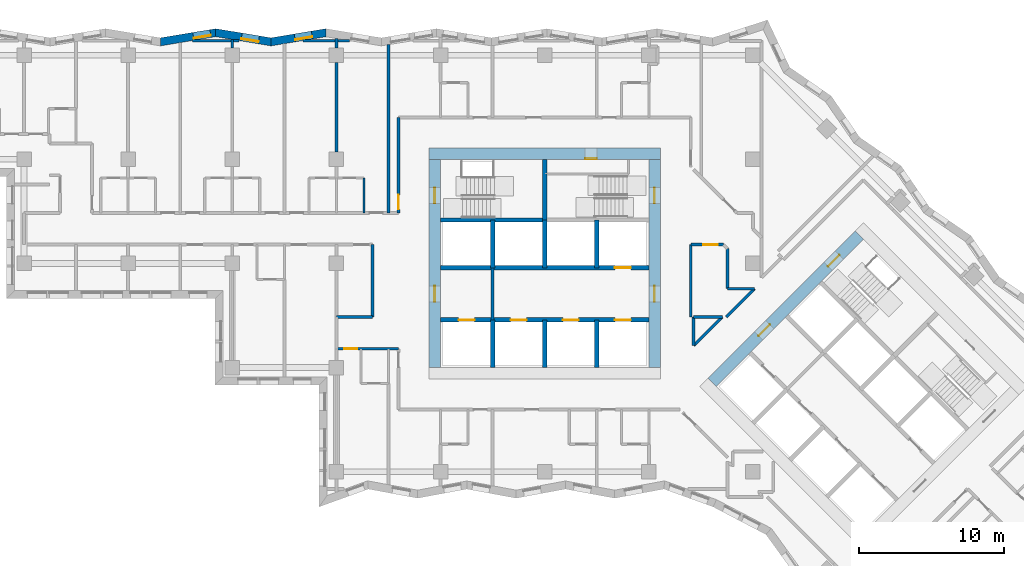
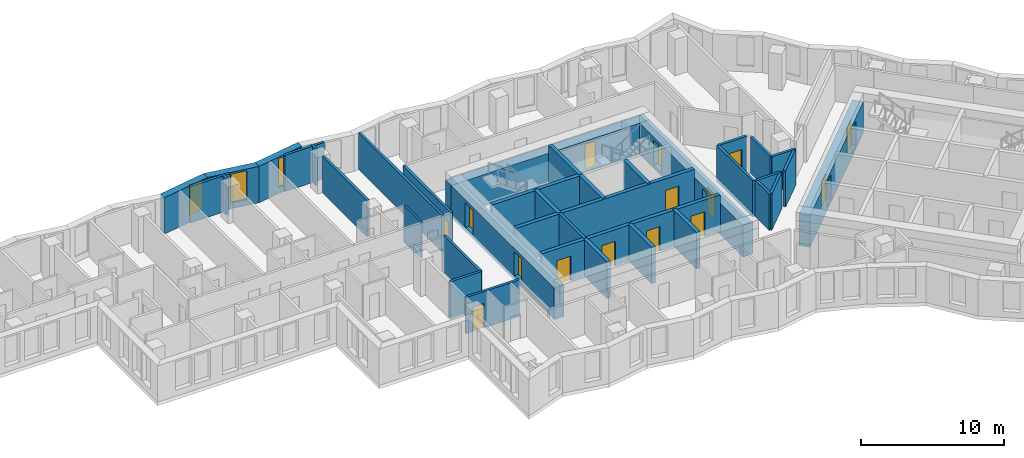
# One storey, part 6 of 14: 37 walls, 15 doors, 3 windows, 18 openings.
"""IFC4 building model written with IfcOpenShell, lengths in metres."""

from ifc_helpers import new_model, si_unit, direction, frame, frame_2d, origin, place, context, subcontext, project, spatial, polyline, rectangle, outline, extrude, material, layer, layer_set, type_object, element, fill, save


model = new_model("IFC4")

# Units and contexts
model_context = context("Model", 3, precision=1e-05, world=origin(), true_north=direction((0.0, 1.0)))
body_context = subcontext(model_context, "Body", "Model", "MODEL_VIEW")
ifc_project = project(units=[si_unit("LENGTHUNIT", "METRE"), si_unit("AREAUNIT", "SQUARE_METRE"), si_unit("VOLUMEUNIT", "CUBIC_METRE"), si_unit("PLANEANGLEUNIT", "RADIAN"), si_unit("MASSUNIT", "GRAM", prefix="KILO")], contexts=[model_context])

# Site, building, storey
site_placement = place(None, origin())
site = spatial("IfcSite", under=ifc_project, at=site_placement, CompositionType="ELEMENT")
building_placement = place(site_placement, origin())
building = spatial("IfcBuilding", under=site, at=building_placement, Name="Windrow Commons", CompositionType="ELEMENT")
storey_placement = place(building_placement, frame((0.0, 0.0, 118.6)))
storey = spatial("IfcBuildingStorey", under=building, at=storey_placement, Name="L32", CompositionType="ELEMENT", Elevation=118.6)

# Wall, opening, window
ifc_material_1 = material(Name="Brick masonry, red clay brick", Category="masonry")
ifc_layer_1 = layer(ifc_material_1, 0.55)
ifc_layer_set_1 = layer_set([ifc_layer_1], Name="Brick facade wall 550")
wall_type_1 = type_object("IfcWallType", Name="Brick facade wall 550", PredefinedType="SOLIDWALL", material=ifc_layer_set_1)
wall_1_placement = place(storey_placement, frame((49.6853, 73.5542, 0.0), z_axis=(0.0, 0.0, 1.0), x_axis=(-0.9865110911, -0.1636944324, 0.0)))
wall_1 = element("IfcWall", 1, at=wall_1_placement, inside=storey, type_object=wall_type_1, Name="Brick facade wall L32 29", PredefinedType="SOLIDWALL", context=body_context, shape_type="SweptSolid", body=[
    extrude(outline(polyline([(-0.0456, -0.275), (3.8213, -0.275), (3.9126, 0.275), (0.0456, 0.275), (-0.0456, -0.275)])), origin(), (0.0, 0.0, 1.0), 3.1),
])
opening_1_placement = place(wall_1_placement, frame((0.9852, 0.0, 0.5)))
opening_1 = element("IfcOpeningElement", 2, at=opening_1_placement, cuts=wall_1, Name="Opening W7D", PredefinedType="OPENING", context=body_context, shape_type="SweptSolid", body=[
    extrude(rectangle(XDim=1.2, YDim=2.45, at=frame_2d((0.6, 1.225))), frame((0.0, 0.285, 0.0), z_axis=(0.0, -1.0, 0.0), x_axis=(1.0, 0.0, 0.0)), (0.0, 0.0, 1.0), 0.57),
])
ifc_material_2 = material(Name="Clear float glass in anodised aluminium frame", Category="aluminium")
window_type = type_object("IfcWindowType", Name="Window W7 notch 1200x2450", PartitioningType="SINGLE_PANEL", PredefinedType="WINDOW", material=ifc_material_2)
window_1_placement = place(opening_1_placement, origin())
window_1 = element("IfcWindow", 3, at=window_1_placement, inside=storey, type_object=window_type, Name="Window L32 29.1", OverallHeight=2.45, OverallWidth=1.2, PartitioningType="SINGLE_PANEL", PredefinedType="WINDOW", context=body_context, shape_type="SweptSolid", body=[
    extrude(rectangle(XDim=1.2, YDim=2.45, at=frame_2d((0.6, 1.225))), frame((0.0, 0.155, 0.0), z_axis=(0.0, -1.0, 0.0), x_axis=(1.0, 0.0, 0.0)), (0.0, 0.0, 1.0), 0.06),
])
fill(opening_1, window_1)

wall_2_placement = place(storey_placement, frame((45.8705, 72.9212, 0.0), z_axis=(0.0, 0.0, 1.0), x_axis=(-0.9865110911, 0.1636944324, 0.0)))
wall_2 = element("IfcWall", 4, at=wall_2_placement, inside=storey, type_object=wall_type_1, Name="Brick facade wall L32 30", PredefinedType="SOLIDWALL", context=body_context, shape_type="SweptSolid", body=[
    extrude(outline(polyline([(0.0456, -0.275), (3.9126, -0.275), (3.8213, 0.275), (-0.0456, 0.275), (0.0456, -0.275)])), origin(), (0.0, 0.0, 1.0), 3.1),
])
opening_2_placement = place(wall_2_placement, frame((0.8535, 0.0, 0.5)))
opening_2 = element("IfcOpeningElement", 5, at=opening_2_placement, cuts=wall_2, Name="Opening W7D", PredefinedType="OPENING", context=body_context, shape_type="SweptSolid", body=[
    extrude(rectangle(XDim=1.2, YDim=2.45, at=frame_2d((0.6, 1.225))), frame((0.0, 0.285, 0.0), z_axis=(0.0, -1.0, 0.0), x_axis=(1.0, 0.0, 0.0)), (0.0, 0.0, 1.0), 0.57),
])
window_2_placement = place(opening_2_placement, origin())
window_2 = element("IfcWindow", 6, at=window_2_placement, inside=storey, type_object=window_type, Name="Window L32 30.1", OverallHeight=2.45, OverallWidth=1.2, PartitioningType="SINGLE_PANEL", PredefinedType="WINDOW", context=body_context, shape_type="SweptSolid", body=[
    extrude(rectangle(XDim=1.2, YDim=2.45, at=frame_2d((0.6, 1.225))), frame((0.0, 0.155, 0.0), z_axis=(0.0, -1.0, 0.0), x_axis=(1.0, 0.0, 0.0)), (0.0, 0.0, 1.0), 0.06),
])
fill(opening_2, window_2)

wall_3_placement = place(storey_placement, frame((42.0557, 73.5542, 0.0), z_axis=(0.0, 0.0, 1.0), x_axis=(-0.9865110911, -0.1636944324, 0.0)))
wall_3 = element("IfcWall", 7, at=wall_3_placement, inside=storey, type_object=wall_type_1, Name="Brick facade wall L32 31", PredefinedType="SOLIDWALL", context=body_context, shape_type="SweptSolid", body=[
    extrude(outline(polyline([(-0.0456, -0.275), (3.8213, -0.275), (3.9126, 0.275), (0.0456, 0.275), (-0.0456, -0.275)])), origin(), (0.0, 0.0, 1.0), 3.1),
])
opening_3_placement = place(wall_3_placement, frame((0.3675, 0.0, 0.5)))
opening_3 = element("IfcOpeningElement", 8, at=opening_3_placement, cuts=wall_3, Name="Opening W7D", PredefinedType="OPENING", context=body_context, shape_type="SweptSolid", body=[
    extrude(rectangle(XDim=1.2, YDim=2.45, at=frame_2d((0.6, 1.225))), frame((0.0, 0.285, 0.0), z_axis=(0.0, -1.0, 0.0), x_axis=(1.0, 0.0, 0.0)), (0.0, 0.0, 1.0), 0.57),
])
window_3_placement = place(opening_3_placement, origin())
window_3 = element("IfcWindow", 9, at=window_3_placement, inside=storey, type_object=window_type, Name="Window L32 31.1", OverallHeight=2.45, OverallWidth=1.2, PartitioningType="SINGLE_PANEL", PredefinedType="WINDOW", context=body_context, shape_type="SweptSolid", body=[
    extrude(rectangle(XDim=1.2, YDim=2.45, at=frame_2d((0.6, 1.225))), frame((0.0, 0.155, 0.0), z_axis=(0.0, -1.0, 0.0), x_axis=(1.0, 0.0, 0.0)), (0.0, 0.0, 1.0), 0.06),
])
fill(opening_3, window_3)

# Wall
ifc_material_3 = material(Name="Blockwork partition", Category="masonry")
ifc_layer_2 = layer(ifc_material_3, 0.2)
ifc_layer_set_2 = layer_set([ifc_layer_2], Name="Fire lobby partition 200")
wall_type_2 = type_object("IfcWallType", Name="Fire lobby partition 200", PredefinedType="PARTITIONING", material=ifc_layer_set_2)
wall_4_placement = place(storey_placement, frame((61.2, 53.7, 0.0), z_axis=(0.0, 0.0, 1.0), x_axis=(0.0, 1.0, 0.0)))
element("IfcWall", 10, at=wall_4_placement, inside=storey, type_object=wall_type_2, Name="W-core-lobby-A-L32", PredefinedType="PARTITIONING", context=body_context, shape_type="SweptSolid", body=[
    extrude(rectangle(XDim=3.6, YDim=0.2, at=frame_2d((1.8, 0.0))), origin(), (0.0, 0.0, 1.0), 3.1),
])

# Wall, opening, door
ifc_material_4 = material(Name="Blockwork partition", Category="masonry")
ifc_layer_3 = layer(ifc_material_4, 0.2)
ifc_layer_set_3 = layer_set([ifc_layer_3], Name="IW-CORRIDOR-200")
wall_type_3 = type_object("IfcWallType", Name="IW-CORRIDOR-200", PredefinedType="PARTITIONING", material=ifc_layer_set_3)
wall_5_placement = place(storey_placement, frame((54.7, 61.102, 0.0), z_axis=(0.0, 0.0, 1.0), x_axis=(0.0, 1.0, 0.0)))
wall_5 = element("IfcWall", 11, at=wall_5_placement, inside=storey, type_object=wall_type_3, Name="W-L32-W025", PredefinedType="PARTITIONING", context=body_context, shape_type="SweptSolid", body=[
    extrude(rectangle(XDim=6.598, YDim=0.2, at=frame_2d((3.299, 0.0))), origin(), (0.0, 0.0, 1.0), 3.1),
])
opening_4_placement = place(wall_5_placement, frame((0.24, 0.0, 0.0)))
opening_4 = element("IfcOpeningElement", 12, at=opening_4_placement, cuts=wall_5, Name="Opening D310F", PredefinedType="OPENING", context=body_context, shape_type="SweptSolid", body=[
    extrude(rectangle(XDim=1.0, YDim=2.1, at=frame_2d((0.5, 1.05))), frame((0.0, 0.11, 0.0), z_axis=(0.0, -1.0, 0.0), x_axis=(1.0, 0.0, 0.0)), (0.0, 0.0, 1.0), 0.22),
])
ifc_material_5 = material(Name="Timber door leaf", Category="wood")
door_type_1 = type_object("IfcDoorType", Name="DT-AMENITY-1000", OperationType="SINGLE_SWING_LEFT", PredefinedType="DOOR", material=ifc_material_5)
door_1_placement = place(opening_4_placement, origin())
door_1 = element("IfcDoor", 13, at=door_1_placement, inside=storey, type_object=door_type_1, Name="D-L32-D037", OperationType="SINGLE_SWING_LEFT", OverallHeight=2.1, OverallWidth=1.0, PredefinedType="DOOR", context=body_context, shape_type="SweptSolid", body=[
    extrude(rectangle(XDim=1.0, YDim=2.1, at=frame_2d((0.5, 1.05))), frame((0.0, 0.025, 0.0), z_axis=(0.0, -1.0, 0.0), x_axis=(1.0, 0.0, 0.0)), (0.0, 0.0, 1.0), 0.05),
])
fill(opening_4, door_1)

# Walls
for number, where, z_axis, x_axis, name in (
    (14, (52.9, 53.9, 0.0), (0.0, 0.0, 1.0), (0.0, 1.0, 0.0), "W-L32-W040"),
    (15, (74.9, 53.9, 0.0), (0.0, 0.0, 1.0), (0.0, 1.0, 0.0), "W-L32-W041"),
):
    element("IfcWall", number, at=place(storey_placement, frame(where, z_axis=z_axis, x_axis=x_axis)), inside=storey, type_object=wall_type_3, Name=name, PredefinedType="PARTITIONING", context=body_context, shape_type="SweptSolid", body=[
        extrude(rectangle(XDim=5.0, YDim=0.2, at=frame_2d((2.5, 0.0))), origin(), (0.0, 0.0, 1.0), 3.1),
    ])

# Wall, opening, door
wall_6_placement = place(storey_placement, frame((50.4, 51.7, 0.0), z_axis=(0.0, 0.0, 1.0), x_axis=(1.0, 0.0, 0.0)))
wall_6 = element("IfcWall", 16, at=wall_6_placement, inside=storey, type_object=wall_type_3, Name="W-L32-W048", PredefinedType="PARTITIONING", context=body_context, shape_type="SweptSolid", body=[
    extrude(rectangle(XDim=4.3, YDim=0.2, at=frame_2d((2.15, 0.0))), origin(), (0.0, 0.0, 1.0), 3.1),
])
opening_5_placement = place(wall_6_placement, frame((0.5517, 0.0, 0.0)))
opening_5 = element("IfcOpeningElement", 17, at=opening_5_placement, cuts=wall_6, Name="Opening D109S", PredefinedType="OPENING", context=body_context, shape_type="SweptSolid", body=[
    extrude(rectangle(XDim=0.9, YDim=2.1, at=frame_2d((0.45, 1.05))), frame((0.0, 0.11, 0.0), z_axis=(0.0, -1.0, 0.0), x_axis=(1.0, 0.0, 0.0)), (0.0, 0.0, 1.0), 0.22),
])
ifc_material_6 = material(Name="Timber door leaf", Category="wood")
door_type_2 = type_object("IfcDoorType", Name="DT-BEDROOM-900", OperationType="SINGLE_SWING_LEFT", PredefinedType="DOOR", material=ifc_material_6)
door_2_placement = place(opening_5_placement, origin())
door_2 = element("IfcDoor", 18, at=door_2_placement, inside=storey, type_object=door_type_2, Name="D-L32-D007", OperationType="SINGLE_SWING_LEFT", OverallHeight=2.1, OverallWidth=0.9, PredefinedType="DOOR", context=body_context, shape_type="SweptSolid", body=[
    extrude(rectangle(XDim=0.9, YDim=2.1, at=frame_2d((0.45, 1.05))), frame((0.0, 0.025, 0.0), z_axis=(0.0, -1.0, 0.0), x_axis=(1.0, 0.0, 0.0)), (0.0, 0.0, 1.0), 0.05),
])
fill(opening_5, door_2)

# Walls
wall_7_placement = place(storey_placement, frame((75.1015, 51.9225, 0.0), z_axis=(0.0, 0.0, 1.0), x_axis=(0.7071067812, 0.7071067812, 0.0)))
element("IfcWall", 19, at=wall_7_placement, inside=storey, type_object=wall_type_3, Name="W-L32-W074", PredefinedType="PARTITIONING", context=body_context, shape_type="SweptSolid", body=[
    extrude(rectangle(XDim=2.7973, YDim=0.2, at=frame_2d((1.3986, 0.0))), origin(), (0.0, 0.0, 1.0), 3.1),
])
wall_8_placement = place(storey_placement, frame((77.45, 55.852, 0.0), z_axis=(0.0, 0.0, 1.0), x_axis=(0.0, 1.0, 0.0)))
element("IfcWall", 20, at=wall_8_placement, inside=storey, type_object=wall_type_3, Name="W-L32-W075", PredefinedType="PARTITIONING", context=body_context, shape_type="SweptSolid", body=[
    extrude(rectangle(XDim=2.766, YDim=0.2, at=frame_2d((1.383, 0.0))), origin(), (0.0, 0.0, 1.0), 3.1),
])
wall_9_placement = place(storey_placement, frame((77.3629, 53.9011, 0.0), z_axis=(0.0, 0.0, 1.0), x_axis=(0.7071067812, 0.7071067812, 0.0)))
element("IfcWall", 21, at=wall_9_placement, inside=storey, type_object=wall_type_3, Name="W-L32-W077", PredefinedType="PARTITIONING", context=body_context, shape_type="SweptSolid", body=[
    extrude(rectangle(XDim=2.7549, YDim=0.2, at=frame_2d((1.3775, 0.0))), origin(), (0.0, 0.0, 1.0), 3.1),
])
wall_10_placement = place(storey_placement, frame((50.4, 53.9, 0.0), z_axis=(0.0, 0.0, 1.0), x_axis=(1.0, 0.0, 0.0)))
element("IfcWall", 22, at=wall_10_placement, inside=storey, type_object=wall_type_3, Name="W-L32-W081", PredefinedType="PARTITIONING", context=body_context, shape_type="SweptSolid", body=[
    extrude(rectangle(XDim=2.5, YDim=0.2, at=frame_2d((1.25, 0.0))), origin(), (0.0, 0.0, 1.0), 3.1),
])

# Wall, opening, door
wall_11_placement = place(storey_placement, frame((74.902, 58.9, 0.0), z_axis=(0.0, 0.0, 1.0), x_axis=(1.0, 0.0, 0.0)))
wall_11 = element("IfcWall", 23, at=wall_11_placement, inside=storey, type_object=wall_type_3, Name="W-L32-W127", PredefinedType="PARTITIONING", context=body_context, shape_type="SweptSolid", body=[
    extrude(rectangle(XDim=2.266, YDim=0.2, at=frame_2d((1.133, 0.0))), origin(), (0.0, 0.0, 1.0), 3.1),
])
opening_6_placement = place(wall_11_placement, frame((0.8575, 0.0, 0.0)))
opening_6 = element("IfcOpeningElement", 24, at=opening_6_placement, cuts=wall_11, Name="Opening D410F", PredefinedType="OPENING", context=body_context, shape_type="SweptSolid", body=[
    extrude(rectangle(XDim=1.0, YDim=2.1, at=frame_2d((0.5, 1.05))), frame((0.0, 0.11, 0.0), z_axis=(0.0, -1.0, 0.0), x_axis=(1.0, 0.0, 0.0)), (0.0, 0.0, 1.0), 0.22),
])
ifc_material_7 = material(Name="Timber door leaf", Category="wood")
door_type_3 = type_object("IfcDoorType", Name="DT-SERVICE-1000", OperationType="SINGLE_SWING_LEFT", PredefinedType="DOOR", material=ifc_material_7)
door_3_placement = place(opening_6_placement, origin())
door_3 = element("IfcDoor", 25, at=door_3_placement, inside=storey, type_object=door_type_3, Name="D-L32-D011", OperationType="SINGLE_SWING_RIGHT", OverallHeight=2.1, OverallWidth=1.0, PredefinedType="DOOR", context=body_context, shape_type="SweptSolid", body=[
    extrude(rectangle(XDim=1.0, YDim=2.1, at=frame_2d((0.5, 1.05))), frame((0.0, 0.025, 0.0), z_axis=(0.0, -1.0, 0.0), x_axis=(1.0, 0.0, 0.0)), (0.0, 0.0, 1.0), 0.05),
])
fill(opening_6, door_3)

# Walls
wall_12_placement = place(storey_placement, frame((75.1, 51.922, 0.0), z_axis=(0.0, 0.0, 1.0), x_axis=(0.0, 1.0, 0.0)))
element("IfcWall", 26, at=wall_12_placement, inside=storey, type_object=wall_type_3, Name="W-L32-W136", PredefinedType="PARTITIONING", context=body_context, shape_type="SweptSolid", body=[
    extrude(rectangle(XDim=1.978, YDim=0.2, at=frame_2d((0.989, 0.0))), origin(), (0.0, 0.0, 1.0), 3.1),
])
wall_13_placement = place(storey_placement, frame((77.452, 55.85, 0.0), z_axis=(0.0, 0.0, 1.0), x_axis=(1.0, 0.0, 0.0)))
element("IfcWall", 27, at=wall_13_placement, inside=storey, type_object=wall_type_3, Name="W-L32-W154", PredefinedType="PARTITIONING", context=body_context, shape_type="SweptSolid", body=[
    extrude(rectangle(XDim=1.86, YDim=0.2, at=frame_2d((0.93, 0.0))), origin(), (0.0, 0.0, 1.0), 3.1),
])
ifc_material_8 = material(Name="Blockwork partition", Category="masonry")
ifc_layer_4 = layer(ifc_material_8, 0.15)
ifc_layer_set_4 = layer_set([ifc_layer_4], Name="IW-ENSUITE-150")
wall_type_4 = type_object("IfcWallType", Name="IW-ENSUITE-150", PredefinedType="PARTITIONING", material=ifc_layer_set_4)
wall_14_placement = place(storey_placement, frame((52.3, 61.1, 0.0), z_axis=(0.0, 0.0, 1.0), x_axis=(0.0, 1.0, 0.0)))
element("IfcWall", 28, at=wall_14_placement, inside=storey, type_object=wall_type_4, Name="W-L32-W098", PredefinedType="PARTITIONING", context=body_context, shape_type="SweptSolid", body=[
    extrude(rectangle(XDim=2.4, YDim=0.15, at=frame_2d((1.2, 0.0))), origin(), (0.0, 0.0, 1.0), 3.1),
])
ifc_material_9 = material(Name="Blockwork partition", Category="masonry")
ifc_layer_5 = layer(ifc_material_9, 0.2)
ifc_layer_set_5 = layer_set([ifc_layer_5], Name="IW-PARTY-200")
wall_type_5 = type_object("IfcWallType", Name="IW-PARTY-200", PredefinedType="PARTITIONING", material=ifc_layer_set_5)
wall_15_placement = place(storey_placement, frame((54.0, 61.1, 0.0), z_axis=(0.0, 0.0, 1.0), x_axis=(0.0, 1.0, 0.0)))
element("IfcWall", 29, at=wall_15_placement, inside=storey, type_object=wall_type_5, Name="W-L32-W008", PredefinedType="PARTITIONING", context=body_context, shape_type="SweptSolid", body=[
    extrude(rectangle(XDim=11.6254, YDim=0.2, at=frame_2d((5.8127, 0.0))), origin(), (0.0, 0.0, 1.0), 3.1),
])
wall_16_placement = place(storey_placement, frame((50.4, 65.3, 0.0), z_axis=(0.0, 0.0, 1.0), x_axis=(0.0, 1.0, 0.0)))
element("IfcWall", 30, at=wall_16_placement, inside=storey, type_object=wall_type_5, Name="W-L32-W030", PredefinedType="PARTITIONING", context=body_context, shape_type="SweptSolid", body=[
    extrude(rectangle(XDim=6.2, YDim=0.2, at=frame_2d((3.1, 0.0))), origin(), (0.0, 0.0, 1.0), 3.1),
])
for number, where, z_axis, x_axis, name in (
    (31, (40.4455, 73.0, 0.0), (0.0, 0.0, 1.0), (1.0, 0.0, 0.0), "W-L32-W059"),
    (32, (48.0751, 73.0, 0.0), (0.0, 0.0, 1.0), (1.0, 0.0, 0.0), "W-L32-W063"),
):
    element("IfcWall", number, at=place(storey_placement, frame(where, z_axis=z_axis, x_axis=x_axis)), inside=storey, type_object=wall_type_5, Name=name, PredefinedType="PARTITIONING", context=body_context, shape_type="SweptSolid", body=[
        extrude(rectangle(XDim=3.2204, YDim=0.2, at=frame_2d((1.6102, 0.0))), origin(), (0.0, 0.0, 1.0), 3.1),
    ])
wall_17_placement = place(storey_placement, frame((75.1, 53.9, 0.0), z_axis=(0.0, 0.0, 1.0), x_axis=(1.0, 0.0, 0.0)))
element("IfcWall", 33, at=wall_17_placement, inside=storey, type_object=wall_type_5, Name="W-L32-W135", PredefinedType="PARTITIONING", context=body_context, shape_type="SweptSolid", body=[
    extrude(rectangle(XDim=1.98, YDim=0.2, at=frame_2d((0.99, 0.0))), origin(), (0.0, 0.0, 1.0), 3.1),
])
wall_18_placement = place(storey_placement, frame((43.2, 72.5, 0.0), z_axis=(0.0, 0.0, 1.0), x_axis=(0.0, 1.0, 0.0)))
element("IfcWall", 34, at=wall_18_placement, inside=storey, type_object=wall_type_5, Name="W-L32-W197", PredefinedType="PARTITIONING", context=body_context, shape_type="SweptSolid", body=[
    extrude(rectangle(XDim=0.5856, YDim=0.2, at=frame_2d((0.2928, 0.0))), origin(), (0.0, 0.0, 1.0), 3.1),
])
wall_19_placement = place(storey_placement, frame((50.4, 72.5, 0.0), z_axis=(0.0, 0.0, 1.0), x_axis=(0.0, 1.0, 0.0)))
element("IfcWall", 35, at=wall_19_placement, inside=storey, type_object=wall_type_5, Name="W-L32-W199", PredefinedType="PARTITIONING", context=body_context, shape_type="SweptSolid", body=[
    extrude(rectangle(XDim=0.6569, YDim=0.2, at=frame_2d((0.3285, 0.0))), origin(), (0.0, 0.0, 1.0), 3.1),
])

# Wall, opening, door
ifc_material_10 = material(Name="Concrete C50/60", Category="concrete")
ifc_layer_6 = layer(ifc_material_10, 0.8)
ifc_layer_set_6 = layer_set([ifc_layer_6], Name="RC CORE WALL 800 C50/60")
wall_type_6 = type_object("IfcWallType", Name="RC CORE WALL 800 C50/60", PredefinedType="SHEAR", material=ifc_layer_set_6)
wall_20_placement = place(storey_placement, frame((56.8, 65.2, -0.3), z_axis=(0.0, 0.0, 1.0), x_axis=(1.0, 0.0, 0.0)))
wall_20 = element("IfcWall", 36, at=wall_20_placement, inside=storey, type_object=wall_type_6, Name="Core A wall outer-N", PredefinedType="SHEAR", context=body_context, shape_type="SweptSolid", body=[
    extrude(rectangle(XDim=16.0, YDim=0.8, at=frame_2d((8.0, 0.0))), origin(), (0.0, 0.0, 1.0), 2.7),
])
opening_7_placement = place(wall_20_placement, frame((10.8, 0.0, 0.3)))
opening_7 = element("IfcOpeningElement", 37, at=opening_7_placement, cuts=wall_20, Name="Opening D9", PredefinedType="OPENING", context=body_context, shape_type="SweptSolid", body=[
    extrude(rectangle(XDim=0.8, YDim=2.1, at=frame_2d((0.4, 1.05))), frame((0.0, 0.41, 0.0), z_axis=(0.0, -1.0, 0.0), x_axis=(1.0, 0.0, 0.0)), (0.0, 0.0, 1.0), 0.82),
])
ifc_material_11 = material(Name="Steel fire door leaf", Category="steel")
door_type_4 = type_object("IfcDoorType", Name="Riser access door 800", OperationType="SINGLE_SWING_LEFT", PredefinedType="DOOR", material=ifc_material_11)
door_4_placement = place(opening_7_placement, origin())
door_4 = element("IfcDoor", 38, at=door_4_placement, inside=storey, type_object=door_type_4, Name="Riser access door", OperationType="SINGLE_SWING_RIGHT", OverallHeight=2.1, OverallWidth=0.8, PredefinedType="DOOR", context=body_context, shape_type="SweptSolid", body=[
    extrude(rectangle(XDim=0.8, YDim=2.1, at=frame_2d((0.4, 1.05))), frame((0.0, -0.34, 0.0), z_axis=(0.0, -1.0, 0.0), x_axis=(1.0, 0.0, 0.0)), (0.0, 0.0, 1.0), 0.05),
])
fill(opening_7, door_4)

# Wall, openings, doors
wall_21_placement = place(storey_placement, frame((57.2, 50.4, -0.3), z_axis=(0.0, 0.0, 1.0), x_axis=(0.0, 1.0, 0.0)))
wall_21 = element("IfcWall", 39, at=wall_21_placement, inside=storey, type_object=wall_type_6, Name="Core A wall outer-W", PredefinedType="SHEAR", context=body_context, shape_type="SweptSolid", body=[
    extrude(rectangle(XDim=14.4, YDim=0.8, at=frame_2d((7.2, 0.0))), origin(), (0.0, 0.0, 1.0), 2.7),
])
opening_8_placement = place(wall_21_placement, frame((4.55, 0.0, 0.3)))
opening_8 = element("IfcOpeningElement", 40, at=opening_8_placement, cuts=wall_21, Name="Opening D6", PredefinedType="OPENING", context=body_context, shape_type="SweptSolid", body=[
    extrude(rectangle(XDim=1.1, YDim=2.1, at=frame_2d((0.55, 1.05))), frame((0.0, 0.41, 0.0), z_axis=(0.0, -1.0, 0.0), x_axis=(1.0, 0.0, 0.0)), (0.0, 0.0, 1.0), 0.82),
])
opening_9_placement = place(wall_21_placement, frame((11.35, 0.0, 0.3)))
opening_9 = element("IfcOpeningElement", 41, at=opening_9_placement, cuts=wall_21, Name="Opening D7", PredefinedType="OPENING", context=body_context, shape_type="SweptSolid", body=[
    extrude(rectangle(XDim=1.1, YDim=2.1, at=frame_2d((0.55, 1.05))), frame((0.0, 0.41, 0.0), z_axis=(0.0, -1.0, 0.0), x_axis=(1.0, 0.0, 0.0)), (0.0, 0.0, 1.0), 0.82),
])
ifc_material_12 = material(Name="Steel fire door leaf", Category="steel")
door_type_5 = type_object("IfcDoorType", Name="Core lobby door 1100", OperationType="SINGLE_SWING_LEFT", PredefinedType="DOOR", material=ifc_material_12)
door_5_placement = place(opening_8_placement, origin())
door_5 = element("IfcDoor", 42, at=door_5_placement, inside=storey, type_object=door_type_5, Name="Lift lobby door", OperationType="DOUBLE_DOOR_SINGLE_SWING", OverallHeight=2.1, OverallWidth=1.1, PredefinedType="DOOR", context=body_context, shape_type="SweptSolid", body=[
    extrude(rectangle(XDim=1.1, YDim=2.1, at=frame_2d((0.55, 1.05))), frame((0.0, 0.025, 0.0), z_axis=(0.0, -1.0, 0.0), x_axis=(1.0, 0.0, 0.0)), (0.0, 0.0, 1.0), 0.05),
])
fill(opening_8, door_5)
ifc_material_13 = material(Name="Steel fire door leaf", Category="steel")
door_type_6 = type_object("IfcDoorType", Name="Stair door 1100", OperationType="SINGLE_SWING_LEFT", PredefinedType="DOOR", material=ifc_material_13)
door_6_placement = place(opening_9_placement, origin())
door_6 = element("IfcDoor", 43, at=door_6_placement, inside=storey, type_object=door_type_6, Name="Stair door", OperationType="SINGLE_SWING_LEFT", OverallHeight=2.1, OverallWidth=1.1, PredefinedType="DOOR", context=body_context, shape_type="SweptSolid", body=[
    extrude(rectangle(XDim=1.1, YDim=2.1, at=frame_2d((0.55, 1.05))), frame((0.0, 0.025, 0.0), z_axis=(0.0, -1.0, 0.0), x_axis=(1.0, 0.0, 0.0)), (0.0, 0.0, 1.0), 0.05),
])
fill(opening_9, door_6)

wall_22_placement = place(storey_placement, frame((72.4, 50.4, -0.3), z_axis=(0.0, 0.0, 1.0), x_axis=(0.0, 1.0, 0.0)))
wall_22 = element("IfcWall", 44, at=wall_22_placement, inside=storey, type_object=wall_type_6, Name="Core A wall outer-E", PredefinedType="SHEAR", context=body_context, shape_type="SweptSolid", body=[
    extrude(rectangle(XDim=14.4, YDim=0.8, at=frame_2d((7.2, 0.0))), origin(), (0.0, 0.0, 1.0), 2.7),
])
opening_10_placement = place(wall_22_placement, frame((4.55, 0.0, 0.3)))
opening_10 = element("IfcOpeningElement", 45, at=opening_10_placement, cuts=wall_22, Name="Opening D6", PredefinedType="OPENING", context=body_context, shape_type="SweptSolid", body=[
    extrude(rectangle(XDim=1.1, YDim=2.1, at=frame_2d((0.55, 1.05))), frame((0.0, 0.41, 0.0), z_axis=(0.0, -1.0, 0.0), x_axis=(1.0, 0.0, 0.0)), (0.0, 0.0, 1.0), 0.82),
])
opening_11_placement = place(wall_22_placement, frame((11.35, 0.0, 0.3)))
opening_11 = element("IfcOpeningElement", 46, at=opening_11_placement, cuts=wall_22, Name="Opening D7", PredefinedType="OPENING", context=body_context, shape_type="SweptSolid", body=[
    extrude(rectangle(XDim=1.1, YDim=2.1, at=frame_2d((0.55, 1.05))), frame((0.0, 0.41, 0.0), z_axis=(0.0, -1.0, 0.0), x_axis=(1.0, 0.0, 0.0)), (0.0, 0.0, 1.0), 0.82),
])
door_7_placement = place(opening_10_placement, origin())
door_7 = element("IfcDoor", 47, at=door_7_placement, inside=storey, type_object=door_type_5, Name="Lift lobby door", OperationType="DOUBLE_DOOR_SINGLE_SWING", OverallHeight=2.1, OverallWidth=1.1, PredefinedType="DOOR", context=body_context, shape_type="SweptSolid", body=[
    extrude(rectangle(XDim=1.1, YDim=2.1, at=frame_2d((0.55, 1.05))), frame((0.0, 0.025, 0.0), z_axis=(0.0, -1.0, 0.0), x_axis=(1.0, 0.0, 0.0)), (0.0, 0.0, 1.0), 0.05),
])
fill(opening_10, door_7)
door_8_placement = place(opening_11_placement, origin())
door_8 = element("IfcDoor", 48, at=door_8_placement, inside=storey, type_object=door_type_6, Name="Stair door", OperationType="SINGLE_SWING_RIGHT", OverallHeight=2.1, OverallWidth=1.1, PredefinedType="DOOR", context=body_context, shape_type="SweptSolid", body=[
    extrude(rectangle(XDim=1.1, YDim=2.1, at=frame_2d((0.55, 1.05))), frame((0.0, 0.025, 0.0), z_axis=(0.0, -1.0, 0.0), x_axis=(1.0, 0.0, 0.0)), (0.0, 0.0, 1.0), 0.05),
])
fill(opening_11, door_8)

wall_23_placement = place(storey_placement, frame((76.3716, 49.3726, -0.3), z_axis=(0.0, 0.0, 1.0), x_axis=(0.7071067812, 0.7071067812, 0.0)))
wall_23 = element("IfcWall", 49, at=wall_23_placement, inside=storey, type_object=wall_type_6, Name="Core B wall outer-W", PredefinedType="SHEAR", context=body_context, shape_type="SweptSolid", body=[
    extrude(rectangle(XDim=14.3999, YDim=0.8, at=frame_2d((7.2, 0.0))), origin(), (0.0, 0.0, 1.0), 2.7),
])
opening_12_placement = place(wall_23_placement, frame((4.55, 0.0, 0.3)))
opening_12 = element("IfcOpeningElement", 50, at=opening_12_placement, cuts=wall_23, Name="Opening D6", PredefinedType="OPENING", context=body_context, shape_type="SweptSolid", body=[
    extrude(rectangle(XDim=1.1, YDim=2.1, at=frame_2d((0.55, 1.05))), frame((0.0, 0.41, 0.0), z_axis=(0.0, -1.0, 0.0), x_axis=(1.0, 0.0, 0.0)), (0.0, 0.0, 1.0), 0.82),
])
opening_13_placement = place(wall_23_placement, frame((11.35, 0.0, 0.3)))
opening_13 = element("IfcOpeningElement", 51, at=opening_13_placement, cuts=wall_23, Name="Opening D7", PredefinedType="OPENING", context=body_context, shape_type="SweptSolid", body=[
    extrude(rectangle(XDim=1.1, YDim=2.1, at=frame_2d((0.55, 1.05))), frame((0.0, 0.41, 0.0), z_axis=(0.0, -1.0, 0.0), x_axis=(1.0, 0.0, 0.0)), (0.0, 0.0, 1.0), 0.82),
])
door_9_placement = place(opening_12_placement, origin())
door_9 = element("IfcDoor", 52, at=door_9_placement, inside=storey, type_object=door_type_5, Name="Lift lobby door", OperationType="DOUBLE_DOOR_SINGLE_SWING", OverallHeight=2.1, OverallWidth=1.1, PredefinedType="DOOR", context=body_context, shape_type="SweptSolid", body=[
    extrude(rectangle(XDim=1.1, YDim=2.1, at=frame_2d((0.55, 1.05))), frame((0.0, 0.025, 0.0), z_axis=(0.0, -1.0, 0.0), x_axis=(1.0, 0.0, 0.0)), (0.0, 0.0, 1.0), 0.05),
])
fill(opening_12, door_9)
door_10_placement = place(opening_13_placement, origin())
door_10 = element("IfcDoor", 53, at=door_10_placement, inside=storey, type_object=door_type_6, Name="Stair door", OperationType="SINGLE_SWING_LEFT", OverallHeight=2.1, OverallWidth=1.1, PredefinedType="DOOR", context=body_context, shape_type="SweptSolid", body=[
    extrude(rectangle(XDim=1.1, YDim=2.1, at=frame_2d((0.55, 1.05))), frame((0.0, 0.025, 0.0), z_axis=(0.0, -1.0, 0.0), x_axis=(1.0, 0.0, 0.0)), (0.0, 0.0, 1.0), 0.05),
])
fill(opening_13, door_10)

# Walls
ifc_material_14 = material(Name="Concrete C50/60", Category="concrete")
ifc_layer_7 = layer(ifc_material_14, 0.3)
ifc_layer_set_7 = layer_set([ifc_layer_7], Name="RC SHAFT WALL 300 C50/60")
wall_type_7 = type_object("IfcWallType", Name="RC SHAFT WALL 300 C50/60", PredefinedType="SOLIDWALL", material=ifc_layer_set_7)
for number, where, z_axis, x_axis, name in (
    (54, (61.2, 50.4, 0.0), (0.0, 0.0, 1.0), (0.0, 1.0, 0.0), "Core A wall shaft-S1"),
    (55, (61.2, 57.3, 0.0), (0.0, 0.0, 1.0), (0.0, 1.0, 0.0), "Core A wall shaft-N1"),
    (56, (64.8, 50.4, 0.0), (0.0, 0.0, 1.0), (0.0, 1.0, 0.0), "Core A wall shaft-S2"),
    (57, (64.8, 57.3, 0.0), (0.0, 0.0, 1.0), (0.0, 1.0, 0.0), "Core A wall shaft-N2"),
    (58, (68.4, 50.4, 0.0), (0.0, 0.0, 1.0), (0.0, 1.0, 0.0), "Core A wall shaft-S3"),
    (59, (68.4, 57.3, 0.0), (0.0, 0.0, 1.0), (0.0, 1.0, 0.0), "Core A wall shaft-N3"),
):
    element("IfcWall", number, at=place(storey_placement, frame(where, z_axis=z_axis, x_axis=x_axis)), inside=storey, type_object=wall_type_7, Name=name, PredefinedType="SOLIDWALL", context=body_context, shape_type="SweptSolid", body=[
        extrude(rectangle(XDim=3.3, YDim=0.3, at=frame_2d((1.65, 0.0))), origin(), (0.0, 0.0, 1.0), 3.1),
    ])

# Wall, openings, doors
wall_24_placement = place(storey_placement, frame((57.6, 53.7, 0.0), z_axis=(0.0, 0.0, 1.0), x_axis=(1.0, 0.0, 0.0)))
wall_24 = element("IfcWall", 60, at=wall_24_placement, inside=storey, type_object=wall_type_7, Name="Core A wall lobby-S", PredefinedType="SOLIDWALL", context=body_context, shape_type="SweptSolid", body=[
    extrude(rectangle(XDim=14.4, YDim=0.3, at=frame_2d((7.2, 0.0))), origin(), (0.0, 0.0, 1.0), 3.1),
])
opening_14_placement = place(wall_24_placement, frame((1.25, 0.0, 0.0)))
opening_14 = element("IfcOpeningElement", 61, at=opening_14_placement, cuts=wall_24, Name="Opening LD", PredefinedType="OPENING", context=body_context, shape_type="SweptSolid", body=[
    extrude(rectangle(XDim=1.1, YDim=2.1, at=frame_2d((0.55, 1.05))), frame((0.0, 0.16, 0.0), z_axis=(0.0, -1.0, 0.0), x_axis=(1.0, 0.0, 0.0)), (0.0, 0.0, 1.0), 0.32),
])
opening_15_placement = place(wall_24_placement, frame((4.85, 0.0, 0.0)))
opening_15 = element("IfcOpeningElement", 62, at=opening_15_placement, cuts=wall_24, Name="Opening LD", PredefinedType="OPENING", context=body_context, shape_type="SweptSolid", body=[
    extrude(rectangle(XDim=1.1, YDim=2.1, at=frame_2d((0.55, 1.05))), frame((0.0, 0.16, 0.0), z_axis=(0.0, -1.0, 0.0), x_axis=(1.0, 0.0, 0.0)), (0.0, 0.0, 1.0), 0.32),
])
opening_16_placement = place(wall_24_placement, frame((8.45, 0.0, 0.0)))
opening_16 = element("IfcOpeningElement", 63, at=opening_16_placement, cuts=wall_24, Name="Opening LD", PredefinedType="OPENING", context=body_context, shape_type="SweptSolid", body=[
    extrude(rectangle(XDim=1.1, YDim=2.1, at=frame_2d((0.55, 1.05))), frame((0.0, 0.16, 0.0), z_axis=(0.0, -1.0, 0.0), x_axis=(1.0, 0.0, 0.0)), (0.0, 0.0, 1.0), 0.32),
])
opening_17_placement = place(wall_24_placement, frame((12.05, 0.0, 0.0)))
opening_17 = element("IfcOpeningElement", 64, at=opening_17_placement, cuts=wall_24, Name="Opening LD", PredefinedType="OPENING", context=body_context, shape_type="SweptSolid", body=[
    extrude(rectangle(XDim=1.1, YDim=2.1, at=frame_2d((0.55, 1.05))), frame((0.0, 0.16, 0.0), z_axis=(0.0, -1.0, 0.0), x_axis=(1.0, 0.0, 0.0)), (0.0, 0.0, 1.0), 0.32),
])
ifc_material_15 = material(Name="Stainless steel door leaf", Category="steel")
door_type_7 = type_object("IfcDoorType", Name="Lift landing door 1100", OperationType="SLIDING_TO_LEFT", PredefinedType="DOOR", material=ifc_material_15)
door_11_placement = place(opening_14_placement, origin())
door_11 = element("IfcDoor", 65, at=door_11_placement, inside=storey, type_object=door_type_7, Name="Lift landing door", OperationType="SLIDING_TO_LEFT", OverallHeight=2.1, OverallWidth=1.1, PredefinedType="DOOR", context=body_context, shape_type="SweptSolid", body=[
    extrude(rectangle(XDim=1.1, YDim=2.1, at=frame_2d((0.55, 1.05))), frame((0.0, 0.025, 0.0), z_axis=(0.0, -1.0, 0.0), x_axis=(1.0, 0.0, 0.0)), (0.0, 0.0, 1.0), 0.05),
])
fill(opening_14, door_11)
door_12_placement = place(opening_15_placement, origin())
door_12 = element("IfcDoor", 66, at=door_12_placement, inside=storey, type_object=door_type_7, Name="Lift landing door", OperationType="SLIDING_TO_RIGHT", OverallHeight=2.1, OverallWidth=1.1, PredefinedType="DOOR", context=body_context, shape_type="SweptSolid", body=[
    extrude(rectangle(XDim=1.1, YDim=2.1, at=frame_2d((0.55, 1.05))), frame((0.0, 0.025, 0.0), z_axis=(0.0, -1.0, 0.0), x_axis=(1.0, 0.0, 0.0)), (0.0, 0.0, 1.0), 0.05),
])
fill(opening_15, door_12)
door_13_placement = place(opening_16_placement, origin())
door_13 = element("IfcDoor", 67, at=door_13_placement, inside=storey, type_object=door_type_7, Name="Lift landing door", OperationType="SLIDING_TO_LEFT", OverallHeight=2.1, OverallWidth=1.1, PredefinedType="DOOR", context=body_context, shape_type="SweptSolid", body=[
    extrude(rectangle(XDim=1.1, YDim=2.1, at=frame_2d((0.55, 1.05))), frame((0.0, 0.025, 0.0), z_axis=(0.0, -1.0, 0.0), x_axis=(1.0, 0.0, 0.0)), (0.0, 0.0, 1.0), 0.05),
])
fill(opening_16, door_13)
door_14_placement = place(opening_17_placement, origin())
door_14 = element("IfcDoor", 68, at=door_14_placement, inside=storey, type_object=door_type_7, Name="Lift landing door", OperationType="SLIDING_TO_RIGHT", OverallHeight=2.1, OverallWidth=1.1, PredefinedType="DOOR", context=body_context, shape_type="SweptSolid", body=[
    extrude(rectangle(XDim=1.1, YDim=2.1, at=frame_2d((0.55, 1.05))), frame((0.0, 0.025, 0.0), z_axis=(0.0, -1.0, 0.0), x_axis=(1.0, 0.0, 0.0)), (0.0, 0.0, 1.0), 0.05),
])
fill(opening_17, door_14)

# Wall, opening, door
wall_25_placement = place(storey_placement, frame((57.6, 57.3, 0.0), z_axis=(0.0, 0.0, 1.0), x_axis=(1.0, 0.0, 0.0)))
wall_25 = element("IfcWall", 69, at=wall_25_placement, inside=storey, type_object=wall_type_7, Name="Core A wall lobby-N", PredefinedType="SOLIDWALL", context=body_context, shape_type="SweptSolid", body=[
    extrude(rectangle(XDim=14.4, YDim=0.3, at=frame_2d((7.2, 0.0))), origin(), (0.0, 0.0, 1.0), 3.1),
])
opening_18_placement = place(wall_25_placement, frame((12.05, 0.0, 0.0)))
opening_18 = element("IfcOpeningElement", 70, at=opening_18_placement, cuts=wall_25, Name="Opening LD", PredefinedType="OPENING", context=body_context, shape_type="SweptSolid", body=[
    extrude(rectangle(XDim=1.1, YDim=2.1, at=frame_2d((0.55, 1.05))), frame((0.0, 0.16, 0.0), z_axis=(0.0, -1.0, 0.0), x_axis=(1.0, 0.0, 0.0)), (0.0, 0.0, 1.0), 0.32),
])
door_15_placement = place(opening_18_placement, origin())
door_15 = element("IfcDoor", 71, at=door_15_placement, inside=storey, type_object=door_type_7, Name="Lift landing door", OperationType="SLIDING_TO_RIGHT", OverallHeight=2.1, OverallWidth=1.1, PredefinedType="DOOR", context=body_context, shape_type="SweptSolid", body=[
    extrude(rectangle(XDim=1.1, YDim=2.1, at=frame_2d((0.55, 1.05))), frame((0.0, 0.025, 0.0), z_axis=(0.0, -1.0, 0.0), x_axis=(1.0, 0.0, 0.0)), (0.0, 0.0, 1.0), 0.05),
])
fill(opening_18, door_15)

# Walls
wall_26_placement = place(storey_placement, frame((57.6, 60.6, 0.0), z_axis=(0.0, 0.0, 1.0), x_axis=(1.0, 0.0, 0.0)))
element("IfcWall", 72, at=wall_26_placement, inside=storey, type_object=wall_type_7, Name="Core A wall stair-S", PredefinedType="SOLIDWALL", context=body_context, shape_type="SweptSolid", body=[
    extrude(rectangle(XDim=7.2, YDim=0.3, at=frame_2d((3.6, 0.0))), origin(), (0.0, 0.0, 1.0), 3.1),
])
wall_27_placement = place(storey_placement, frame((64.8, 60.6, 0.0), z_axis=(0.0, 0.0, 1.0), x_axis=(0.0, 1.0, 0.0)))
element("IfcWall", 73, at=wall_27_placement, inside=storey, type_object=wall_type_7, Name="Core A wall stair-mid", PredefinedType="SOLIDWALL", context=body_context, shape_type="SweptSolid", body=[
    extrude(rectangle(XDim=4.2, YDim=0.3, at=frame_2d((2.1, 0.0))), origin(), (0.0, 0.0, 1.0), 3.1),
])

save(model, "model.ifc")
